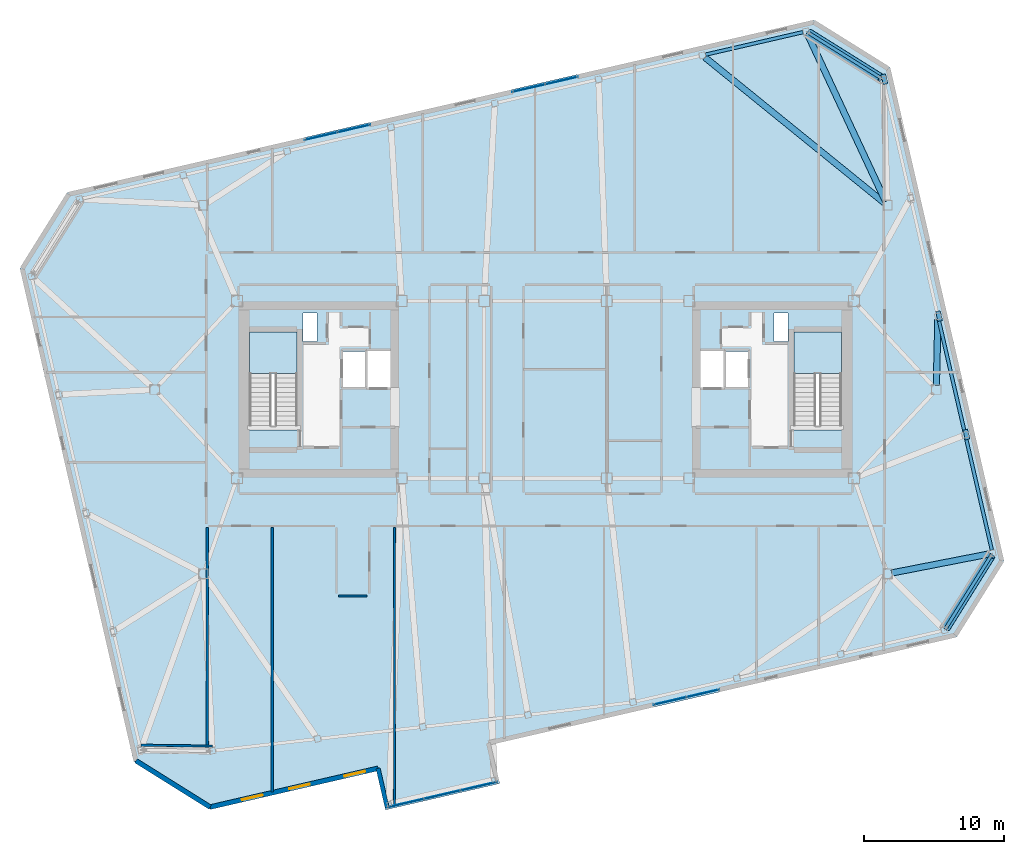
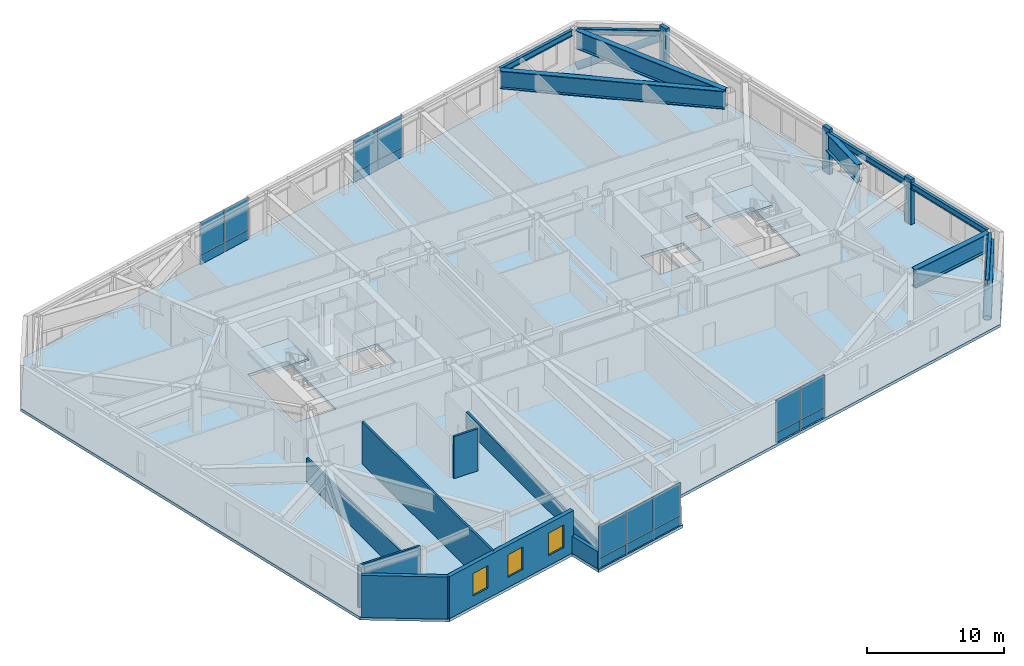
# One storey, part 15 of 23: 18 plates, 9 beams, 8 walls, 5 members, 3 slabs, 3 windows, 3 openings, 6 elements without a shape of their own.
"""IFC4 building model written with IfcOpenShell, lengths in metres."""

from ifc_helpers import new_model, si_unit, direction, frame, frame_2d, origin, origin_2d, place, context, subcontext, project, spatial, polyline, rectangle, hollow_circle, i_section, outline, extrude, material, layer, layer_set, material_profile, profile_set, type_object, element, fill, aggregate, save


model = new_model("IFC4")

# Units and contexts
model_context = context("Model", 3, precision=1e-05, world=origin(), true_north=direction((0.0, 1.0)))
body_context = subcontext(model_context, "Body", "Model", "MODEL_VIEW")
ifc_project = project(units=[si_unit("LENGTHUNIT", "METRE"), si_unit("AREAUNIT", "SQUARE_METRE"), si_unit("VOLUMEUNIT", "CUBIC_METRE"), si_unit("PLANEANGLEUNIT", "RADIAN"), si_unit("MASSUNIT", "GRAM", prefix="KILO")], contexts=[model_context])

# Site, building, storey
site_placement = place(None, origin())
site = spatial("IfcSite", under=ifc_project, at=site_placement, CompositionType="ELEMENT")
building_placement = place(site_placement, origin())
building = spatial("IfcBuilding", under=site, at=building_placement, Name="Tavrogorsk Clinical Tower", CompositionType="ELEMENT")
storey_placement = place(building_placement, frame((0.0, 0.0, 277.0)))
storey = spatial("IfcBuildingStorey", under=building, at=storey_placement, Name="L64", CompositionType="ELEMENT", Elevation=277.0)

# Members
ifc_material_1 = material(Name="Structural steel S440", Category="steel")
ifc_material_profile_1 = material_profile(ifc_material_1, hollow_circle(Radius=0.304931640625, WallThickness=0.02490234375, at=origin_2d()), Name="CHS-610x25")
ifc_profile_set_1 = profile_set([ifc_material_profile_1], Name="Structural steel S440")
member_type_1 = type_object("IfcMemberType", Name="ExoBrace_CHS610", PredefinedType="BRACE", material=ifc_profile_set_1)
for number, where, z_axis, x_axis, name in (
    (1, (28.70166015625, -17.063720703125, 0.393310546875), (0.485685891885, 0.777193135924, 0.40010004236), (-0.848027637525, 0.529952003481, 0.0), "L64 Corner Exoskeleton Brace S8-E1"),
    (2, (18.86279296875, 25.55322265625, 0.393310546875), (0.777221605895, -0.485643868835, 0.400095748531), (0.529905066536, 0.848056967697, 0.0), "L64 Corner Exoskeleton Brace E5-N1"),
):
    element("IfcMember", number, at=place(storey_placement, frame(where, z_axis=z_axis, x_axis=x_axis)), inside=storey, type_object=member_type_1, Name=name, PredefinedType="BRACE", context=body_context, shape_type="SweptSolid", body=[
        extrude(hollow_circle(Radius=0.304931640625, WallThickness=0.02490234375, at=origin_2d()), origin(), (0.0, 0.0, 1.0), 6.63232421875),
    ])
ifc_material_2 = material(Name="Precast concrete B45 with limestone cladding", Category="masonry")
ifc_material_profile_2 = material_profile(ifc_material_2, rectangle(XDim=0.320068359375, YDim=0.719970703125, at=origin_2d()), Name="LIMESTONE-FIN-320x720")
ifc_profile_set_2 = profile_set([ifc_material_profile_2], Name="Precast concrete B45 with limestone cladding")
member_type_2 = type_object("IfcMemberType", Name="LimestonePleatFin_320x720", PredefinedType="USERDEFINED", material=ifc_profile_set_2)
for number, where, z_axis, x_axis, name in (
    (3, (30.154541015625, -3.223388671875, 0.0), (0.0, 0.0, 1.0), (0.974370064785, 0.224951054344, 0.0), "L64 E Pleated Stone Fin 1"),
    (4, (28.1953125, 5.263427734375, 0.0), (0.0, 0.0, 1.0), (0.974370064785, 0.224951054344, 0.0), "L64 E Pleated Stone Fin 2"),
    (5, (24.276611328125, 22.237060546875, 0.0), (0.0, 0.0, 1.0), (0.974370064785, 0.224951054344, 0.0), "L64 E Pleated Stone Fin 4"),
):
    element("IfcMember", number, at=place(storey_placement, frame(where, z_axis=z_axis, x_axis=x_axis)), inside=storey, type_object=member_type_2, Name=name, ObjectType="FIN", PredefinedType="USERDEFINED", context=body_context, shape_type="SweptSolid", body=[
        extrude(rectangle(XDim=0.320068359375, YDim=0.719970703125, at=origin_2d()), origin(), (0.0, 0.0, 1.0), 4.0),
    ])

# Beams
ifc_material_3 = material(Name="Structural steel S390", Category="steel")
ifc_material_profile_3 = material_profile(ifc_material_3, i_section(OverallWidth=0.239990234375, OverallDepth=0.550048828125, WebThickness=0.013916015625, FlangeThickness=0.02197265625, at=origin_2d()), Name="B-550x240x14x22")
ifc_profile_set_3 = profile_set([ifc_material_profile_3], Name="Structural steel S390")
beam_type_1 = type_object("IfcBeamType", Name="SpandrelBeam_B550", PredefinedType="SPANDREL", material=ifc_profile_set_3)
beam_1_placement = place(storey_placement, frame((28.712158203125, -17.04736328125, 3.465087890625), z_axis=(0.529904457892, 0.848057348006, 0.0), x_axis=(-0.848057348006, 0.529904457892, 0.0)))
element("IfcBeam", 6, at=beam_1_placement, inside=storey, type_object=beam_type_1, Name="L64 Perimeter Spandrel S8-E1", PredefinedType="SPANDREL", context=body_context, shape_type="SweptSolid", body=[
    extrude(i_section(OverallWidth=0.239990234375, OverallDepth=0.550048828125, WebThickness=0.013916015625, FlangeThickness=0.02197265625, at=origin_2d()), origin(), (0.0, 0.0, 1.0), 6.039306640625),
])
for number, where, z_axis, x_axis, name in (
    (7, (31.9833984375, -11.5009765625, 3.465087890625), (-0.224950345141, 0.974370228517, 0.0), (-0.974370228517, -0.224950345141, 0.0), "L64 Perimeter Spandrel E1-E2"),
    (8, (30.024169921875, -3.01416015625, 3.465087890625), (-0.224950345141, 0.974370228517, 0.0), (-0.974370228517, -0.224950345141, 0.0), "L64 Perimeter Spandrel E2-E3"),
):
    element("IfcBeam", number, at=place(storey_placement, frame(where, z_axis=z_axis, x_axis=x_axis)), inside=storey, type_object=beam_type_1, Name=name, PredefinedType="SPANDREL", context=body_context, shape_type="SweptSolid", body=[
        extrude(i_section(OverallWidth=0.239990234375, OverallDepth=0.550048828125, WebThickness=0.013916015625, FlangeThickness=0.02197265625, at=origin_2d()), origin(), (0.0, 0.0, 1.0), 8.243896484375),
    ])
beam_2_placement = place(storey_placement, frame((24.0009765625, 22.342529296875, 3.465087890625), z_axis=(-0.848057348006, 0.529904457892, 0.0), x_axis=(-0.529904457892, -0.848057348006, 0.0)))
element("IfcBeam", 9, at=beam_2_placement, inside=storey, type_object=beam_type_1, Name="L64 Perimeter Spandrel E5-N1", PredefinedType="SPANDREL", context=body_context, shape_type="SweptSolid", body=[
    extrude(i_section(OverallWidth=0.239990234375, OverallDepth=0.550048828125, WebThickness=0.013916015625, FlangeThickness=0.02197265625, at=origin_2d()), origin(), (0.0, 0.0, 1.0), 6.039306640625),
])
beam_3_placement = place(storey_placement, frame((18.45458984375, 25.61376953125, 3.465087890625), z_axis=(-0.974375120167, -0.224929155956, 0.0), x_axis=(0.224929155956, -0.974375120167, 0.0)))
element("IfcBeam", 10, at=beam_3_placement, inside=storey, type_object=beam_type_1, Name="L64 Perimeter Spandrel N1-N2", PredefinedType="SPANDREL", context=body_context, shape_type="SweptSolid", body=[
    extrude(i_section(OverallWidth=0.239990234375, OverallDepth=0.550048828125, WebThickness=0.013916015625, FlangeThickness=0.02197265625, at=origin_2d()), origin(), (0.0, 0.0, 1.0), 7.16796875),
])
ifc_material_4 = material(Name="Structural steel S440", Category="steel")
ifc_material_profile_4 = material_profile(ifc_material_4, i_section(OverallWidth=0.449951171875, OverallDepth=1.60009765625, WebThickness=0.031982421875, FlangeThickness=0.050048828125, at=origin_2d()), Name="DK-1600x450x32x50")
ifc_profile_set_4 = profile_set([ifc_material_profile_4], Name="Structural steel S440")
beam_type_2 = type_object("IfcBeamType", Name="TransferGirder_DK1600", PredefinedType="USERDEFINED", material=ifc_profile_set_4)
beam_4_placement = place(storey_placement, frame((24.368896484375, 13.48095703125, 2.93994140625), z_axis=(-0.422928957087, 0.906162842571, 0.0), x_axis=(-0.906162842571, -0.422928957087, 0.0)))
element("IfcBeam", 11, at=beam_4_placement, inside=storey, type_object=beam_type_2, Name="L64 Radial Floor Beam N1", ObjectType="GIRDER", PredefinedType="USERDEFINED", context=body_context, shape_type="SweptSolid", body=[
    extrude(i_section(OverallWidth=0.449951171875, OverallDepth=1.60009765625, WebThickness=0.031982421875, FlangeThickness=0.050048828125, at=origin_2d()), origin(), (0.0, 0.0, 1.0), 13.214111328125),
])
beam_5_placement = place(storey_placement, frame((24.25927734375, 13.395263671875, 2.93994140625), z_axis=(-0.77675399059, 0.629804126774, 0.0), x_axis=(-0.629804126774, -0.77675399059, 0.0)))
element("IfcBeam", 12, at=beam_5_placement, inside=storey, type_object=beam_type_2, Name="L64 Radial Floor Beam N2", ObjectType="GIRDER", PredefinedType="USERDEFINED", context=body_context, shape_type="SweptSolid", body=[
    extrude(i_section(OverallWidth=0.449951171875, OverallDepth=1.60009765625, WebThickness=0.031982421875, FlangeThickness=0.050048828125, at=origin_2d()), origin(), (0.0, 0.0, 1.0), 16.524169921875),
])
beam_6_placement = place(storey_placement, frame((24.80419921875, -13.140625, 2.93994140625), z_axis=(0.981451198395, 0.191712141424, 0.0), x_axis=(-0.191712141424, 0.981451198395, 0.0)))
element("IfcBeam", 13, at=beam_6_placement, inside=storey, type_object=beam_type_2, Name="L64 Radial Floor Beam E1", ObjectType="GIRDER", PredefinedType="USERDEFINED", context=body_context, shape_type="SweptSolid", body=[
    extrude(i_section(OverallWidth=0.449951171875, OverallDepth=1.60009765625, WebThickness=0.031982421875, FlangeThickness=0.050048828125, at=origin_2d()), origin(), (0.0, 0.0, 1.0), 7.13525390625),
])
beam_7_placement = place(storey_placement, frame((28.0068359375, 0.309814453125, 2.93994140625), z_axis=(0.022370062613, 0.999749758839, 0.0), x_axis=(-0.999749758839, 0.022370062613, 0.0)))
element("IfcBeam", 14, at=beam_7_placement, inside=storey, type_object=beam_type_2, Name="L64 Radial Floor Beam E3", ObjectType="GIRDER", PredefinedType="USERDEFINED", context=body_context, shape_type="SweptSolid", body=[
    extrude(i_section(OverallWidth=0.449951171875, OverallDepth=1.60009765625, WebThickness=0.031982421875, FlangeThickness=0.050048828125, at=origin_2d()), origin(), (0.0, 0.0, 1.0), 4.703857421875),
])

# Curtain wall, plates
ifc_material_5 = material(Name="Anodised aluminium and triple IGU glazing", Category="aluminium")
ifc_layer_1 = layer(ifc_material_5, 0.179931640625)
ifc_layer_set_1 = layer_set([ifc_layer_1], Name="Anodised aluminium and triple IGU glazing")
curtain_wall_type_1 = type_object("IfcCurtainWallType", Name="CW3_SouthSlot", PredefinedType="NOTDEFINED", material=ifc_layer_set_1)
curtain_wall_1_placement = place(storey_placement, origin())
curtain_wall_1 = element("IfcCurtainWall", 15, at=curtain_wall_1_placement, inside=storey, type_object=curtain_wall_type_1, Name="L64 Curtain Wall CW-L64-S-SLOT-2", PredefinedType="NOTDEFINED")
ifc_material_6 = material(Name="Honed Podolsk limestone spandrel panel", Category="masonry")
ifc_layer_2 = layer(ifc_material_6, 0.080078125)
ifc_layer_set_2 = layer_set([ifc_layer_2], Name="Honed Podolsk limestone spandrel panel")
plate_type_1 = type_object("IfcPlateType", Name="CwSpandrelStonePanel_80", PredefinedType="CURTAIN_PANEL", material=ifc_layer_set_2)
plate_1_placement = place(storey_placement, frame((8.9296875, -22.306884765625, 0.001953125), z_axis=(0.0, 0.0, 1.0), x_axis=(0.974370057377, 0.224951086434, 0.0)))
plate_1 = element("IfcPlate", 16, at=plate_1_placement, type_object=plate_type_1, Name="CW-L64-S-SLOT-2 Stone Spandrel Panel 1", PredefinedType="CURTAIN_PANEL", context=body_context, shape_type="SweptSolid", body=[
    extrude(rectangle(XDim=2.39208984375, YDim=0.080078125, at=origin_2d()), origin(), (0.0, 0.0, 1.0), 0.8359375),
])
plate_2_placement = place(storey_placement, frame((11.28369140625, -21.763427734375, 0.001953125), z_axis=(0.0, 0.0, 1.0), x_axis=(0.974370057377, 0.224951086434, 0.0)))
plate_2 = element("IfcPlate", 17, at=plate_2_placement, type_object=plate_type_1, Name="CW-L64-S-SLOT-2 Stone Spandrel Panel 2", PredefinedType="CURTAIN_PANEL", context=body_context, shape_type="SweptSolid", body=[
    extrude(rectangle(XDim=2.39208984375, YDim=0.080078125, at=origin_2d()), origin(), (0.0, 0.0, 1.0), 0.8359375),
])

ifc_material_7 = material(Name="Anodised aluminium and triple IGU glazing", Category="aluminium")
ifc_layer_3 = layer(ifc_material_7, 0.179931640625)
ifc_layer_set_3 = layer_set([ifc_layer_3], Name="Anodised aluminium and triple IGU glazing")
curtain_wall_type_2 = type_object("IfcCurtainWallType", Name="CW2_NorthSlot", PredefinedType="NOTDEFINED", material=ifc_layer_set_3)
curtain_wall_2_placement = place(storey_placement, origin())
curtain_wall_2 = element("IfcCurtainWall", 18, at=curtain_wall_2_placement, inside=storey, type_object=curtain_wall_type_2, Name="L64 Curtain Wall CW-L64-N-SLOT-1", PredefinedType="NOTDEFINED")
plate_3_placement = place(storey_placement, frame((-13.729736328125, 18.70703125, 0.001953125), z_axis=(0.0, 0.0, 1.0), x_axis=(-0.974370057377, -0.224951086434, 0.0)))
plate_3 = element("IfcPlate", 19, at=plate_3_placement, type_object=plate_type_1, Name="CW-L64-N-SLOT-1 Stone Spandrel Panel 1", PredefinedType="CURTAIN_PANEL", context=body_context, shape_type="SweptSolid", body=[
    extrude(rectangle(XDim=2.39208984375, YDim=0.080078125, at=origin_2d()), origin(), (0.0, 0.0, 1.0), 0.8359375),
])
plate_4_placement = place(storey_placement, frame((-16.083740234375, 18.16357421875, 0.001953125), z_axis=(0.0, 0.0, 1.0), x_axis=(-0.974370057377, -0.224951086434, 0.0)))
plate_4 = element("IfcPlate", 20, at=plate_4_placement, type_object=plate_type_1, Name="CW-L64-N-SLOT-1 Stone Spandrel Panel 2", PredefinedType="CURTAIN_PANEL", context=body_context, shape_type="SweptSolid", body=[
    extrude(rectangle(XDim=2.39208984375, YDim=0.080078125, at=origin_2d()), origin(), (0.0, 0.0, 1.0), 0.8359375),
])

curtain_wall_3_placement = place(storey_placement, origin())
curtain_wall_3 = element("IfcCurtainWall", 21, at=curtain_wall_3_placement, inside=storey, type_object=curtain_wall_type_2, Name="L64 Curtain Wall CW-L64-N-SLOT-2", PredefinedType="NOTDEFINED")
plate_5_placement = place(storey_placement, frame((1.1474609375, 22.1416015625, 0.001953125), z_axis=(0.0, 0.0, 1.0), x_axis=(-0.974370092441, -0.224950934554, 0.0)))
plate_5 = element("IfcPlate", 22, at=plate_5_placement, type_object=plate_type_1, Name="CW-L64-N-SLOT-2 Stone Spandrel Panel 1", PredefinedType="CURTAIN_PANEL", context=body_context, shape_type="SweptSolid", body=[
    extrude(rectangle(XDim=2.39208984375, YDim=0.080078125, at=origin_2d()), origin(), (0.0, 0.0, 1.0), 0.8359375),
])
plate_6_placement = place(storey_placement, frame((-1.20654296875, 21.59814453125, 0.001953125), z_axis=(0.0, 0.0, 1.0), x_axis=(-0.974370092441, -0.224950934554, 0.0)))
plate_6 = element("IfcPlate", 23, at=plate_6_placement, type_object=plate_type_1, Name="CW-L64-N-SLOT-2 Stone Spandrel Panel 2", PredefinedType="CURTAIN_PANEL", context=body_context, shape_type="SweptSolid", body=[
    extrude(rectangle(XDim=2.39208984375, YDim=0.080078125, at=origin_2d()), origin(), (0.0, 0.0, 1.0), 0.8359375),
])

ifc_material_8 = material(Name="Anodised aluminium and triple IGU glazing", Category="aluminium")
ifc_layer_4 = layer(ifc_material_8, 0.179931640625)
ifc_layer_set_4 = layer_set([ifc_layer_4], Name="Anodised aluminium and triple IGU glazing")
curtain_wall_type_3 = type_object("IfcCurtainWallType", Name="CW4_DayroomBox", PredefinedType="NOTDEFINED", material=ifc_layer_set_4)
curtain_wall_4_placement = place(storey_placement, origin())
curtain_wall_4 = element("IfcCurtainWall", 24, at=curtain_wall_4_placement, inside=storey, type_object=curtain_wall_type_3, Name="L64 Curtain Wall CW-DRB-09-L64", PredefinedType="NOTDEFINED")
plate_7_placement = place(storey_placement, frame((-10.041015625, -29.632080078125, 0.001953125), z_axis=(0.0, 0.0, 1.0), x_axis=(0.974370055311, 0.224951095379, 0.0)))
plate_7 = element("IfcPlate", 25, at=plate_7_placement, type_object=plate_type_1, Name="CW-DRB-09-L64 Stone Spandrel Panel 1", PredefinedType="CURTAIN_PANEL", context=body_context, shape_type="SweptSolid", body=[
    extrude(rectangle(XDim=2.68798828125, YDim=0.080078125, at=origin_2d()), origin(), (0.0, 0.0, 1.0), 0.8359375),
])
plate_8_placement = place(storey_placement, frame((-7.404296875, -29.0234375, 0.001953125), z_axis=(0.0, 0.0, 1.0), x_axis=(0.974370055311, 0.224951095379, 0.0)))
plate_8 = element("IfcPlate", 26, at=plate_8_placement, type_object=plate_type_1, Name="CW-DRB-09-L64 Stone Spandrel Panel 2", PredefinedType="CURTAIN_PANEL", context=body_context, shape_type="SweptSolid", body=[
    extrude(rectangle(XDim=2.676025390625, YDim=0.080078125, at=origin_2d()), origin(), (0.0, 0.0, 1.0), 0.8359375),
])
plate_9_placement = place(storey_placement, frame((-4.767578125, -28.414794921875, 0.001953125), z_axis=(0.0, 0.0, 1.0), x_axis=(0.974370055311, 0.224951095379, 0.0)))
plate_9 = element("IfcPlate", 27, at=plate_9_placement, type_object=plate_type_1, Name="CW-DRB-09-L64 Stone Spandrel Panel 3", PredefinedType="CURTAIN_PANEL", context=body_context, shape_type="SweptSolid", body=[
    extrude(rectangle(XDim=2.68798828125, YDim=0.080078125, at=origin_2d()), origin(), (0.0, 0.0, 1.0), 0.8359375),
])

# Plate
ifc_material_9 = material(Name="Triple low-E argon insulated glass", Category="glass")
ifc_layer_5 = layer(ifc_material_9, 0.048095703125)
ifc_layer_set_5 = layer_set([ifc_layer_5], Name="Triple low-E argon insulated glass")
plate_type_2 = type_object("IfcPlateType", Name="CwVisionGlassPanel_48", PredefinedType="CURTAIN_PANEL", material=ifc_layer_set_5)
plate_10_placement = place(storey_placement, frame((8.9296875, -22.306884765625, 0.862060546875), z_axis=(0.0, 0.0, 1.0), x_axis=(0.974370057377, 0.224951086434, 0.0)))
plate_10 = element("IfcPlate", 28, at=plate_10_placement, type_object=plate_type_2, Name="CW-L64-S-SLOT-2 Glazing Panel 1", PredefinedType="CURTAIN_PANEL", context=body_context, shape_type="SweptSolid", body=[
    extrude(rectangle(XDim=2.39208984375, YDim=0.048095703125, at=origin_2d()), origin(), (0.0, 0.0, 1.0), 2.8759765625),
])

plate_11_placement = place(storey_placement, frame((11.28369140625, -21.763427734375, 0.862060546875), z_axis=(0.0, 0.0, 1.0), x_axis=(0.974370057377, 0.224951086434, 0.0)))
plate_11 = element("IfcPlate", 29, at=plate_11_placement, type_object=plate_type_2, Name="CW-L64-S-SLOT-2 Glazing Panel 2", PredefinedType="CURTAIN_PANEL", context=body_context, shape_type="SweptSolid", body=[
    extrude(rectangle(XDim=2.39208984375, YDim=0.048095703125, at=origin_2d()), origin(), (0.0, 0.0, 1.0), 2.8759765625),
])

aggregate(curtain_wall_1, [plate_1, plate_10, plate_2, plate_11])

plate_12_placement = place(storey_placement, frame((-13.729736328125, 18.70703125, 0.862060546875), z_axis=(0.0, 0.0, 1.0), x_axis=(-0.974370057377, -0.224951086434, 0.0)))
plate_12 = element("IfcPlate", 30, at=plate_12_placement, type_object=plate_type_2, Name="CW-L64-N-SLOT-1 Glazing Panel 1", PredefinedType="CURTAIN_PANEL", context=body_context, shape_type="SweptSolid", body=[
    extrude(rectangle(XDim=2.39208984375, YDim=0.048095703125, at=origin_2d()), origin(), (0.0, 0.0, 1.0), 2.8759765625),
])

plate_13_placement = place(storey_placement, frame((-16.083740234375, 18.16357421875, 0.862060546875), z_axis=(0.0, 0.0, 1.0), x_axis=(-0.974370057377, -0.224951086434, 0.0)))
plate_13 = element("IfcPlate", 31, at=plate_13_placement, type_object=plate_type_2, Name="CW-L64-N-SLOT-1 Glazing Panel 2", PredefinedType="CURTAIN_PANEL", context=body_context, shape_type="SweptSolid", body=[
    extrude(rectangle(XDim=2.39208984375, YDim=0.048095703125, at=origin_2d()), origin(), (0.0, 0.0, 1.0), 2.8759765625),
])

aggregate(curtain_wall_2, [plate_3, plate_12, plate_4, plate_13])

plate_14_placement = place(storey_placement, frame((1.1474609375, 22.1416015625, 0.862060546875), z_axis=(0.0, 0.0, 1.0), x_axis=(-0.974370092441, -0.224950934554, 0.0)))
plate_14 = element("IfcPlate", 32, at=plate_14_placement, type_object=plate_type_2, Name="CW-L64-N-SLOT-2 Glazing Panel 1", PredefinedType="CURTAIN_PANEL", context=body_context, shape_type="SweptSolid", body=[
    extrude(rectangle(XDim=2.39208984375, YDim=0.048095703125, at=origin_2d()), origin(), (0.0, 0.0, 1.0), 2.8759765625),
])

plate_15_placement = place(storey_placement, frame((-1.20654296875, 21.59814453125, 0.862060546875), z_axis=(0.0, 0.0, 1.0), x_axis=(-0.974370092441, -0.224950934554, 0.0)))
plate_15 = element("IfcPlate", 33, at=plate_15_placement, type_object=plate_type_2, Name="CW-L64-N-SLOT-2 Glazing Panel 2", PredefinedType="CURTAIN_PANEL", context=body_context, shape_type="SweptSolid", body=[
    extrude(rectangle(XDim=2.39208984375, YDim=0.048095703125, at=origin_2d()), origin(), (0.0, 0.0, 1.0), 2.8759765625),
])

aggregate(curtain_wall_3, [plate_5, plate_14, plate_6, plate_15])

plate_16_placement = place(storey_placement, frame((-10.041015625, -29.632080078125, 0.862060546875), z_axis=(0.0, 0.0, 1.0), x_axis=(0.974370055311, 0.224951095379, 0.0)))
plate_16 = element("IfcPlate", 34, at=plate_16_placement, type_object=plate_type_2, Name="CW-DRB-09-L64 Glazing Panel 1", PredefinedType="CURTAIN_PANEL", context=body_context, shape_type="SweptSolid", body=[
    extrude(rectangle(XDim=2.68798828125, YDim=0.048095703125, at=origin_2d()), origin(), (0.0, 0.0, 1.0), 2.8759765625),
])

plate_17_placement = place(storey_placement, frame((-7.404296875, -29.0234375, 0.862060546875), z_axis=(0.0, 0.0, 1.0), x_axis=(0.974370055311, 0.224951095379, 0.0)))
plate_17 = element("IfcPlate", 35, at=plate_17_placement, type_object=plate_type_2, Name="CW-DRB-09-L64 Glazing Panel 2", PredefinedType="CURTAIN_PANEL", context=body_context, shape_type="SweptSolid", body=[
    extrude(rectangle(XDim=2.676025390625, YDim=0.048095703125, at=origin_2d()), origin(), (0.0, 0.0, 1.0), 2.8759765625),
])

plate_18_placement = place(storey_placement, frame((-4.767578125, -28.414794921875, 0.862060546875), z_axis=(0.0, 0.0, 1.0), x_axis=(0.974370055311, 0.224951095379, 0.0)))
plate_18 = element("IfcPlate", 36, at=plate_18_placement, type_object=plate_type_2, Name="CW-DRB-09-L64 Glazing Panel 3", PredefinedType="CURTAIN_PANEL", context=body_context, shape_type="SweptSolid", body=[
    extrude(rectangle(XDim=2.68798828125, YDim=0.048095703125, at=origin_2d()), origin(), (0.0, 0.0, 1.0), 2.8759765625),
])

aggregate(curtain_wall_4, [plate_7, plate_16, plate_8, plate_17, plate_9, plate_18])

# Stair, slab
ifc_material_10 = material(Name="Concrete B60", Category="concrete")
stair_type = type_object("IfcStairType", Name="CoreStairAssembly", PredefinedType="HALF_TURN_STAIR", material=ifc_material_10)
stair_1_placement = place(storey_placement, origin())
stair_1 = element("IfcStair", 37, at=stair_1_placement, inside=storey, type_object=stair_type, Name="L64 ST-W", PredefinedType="HALF_TURN_STAIR")
ifc_material_11 = material(Name="Concrete B60", Category="concrete")
ifc_layer_6 = layer(ifc_material_11, 0.199951171875)
ifc_layer_set_6 = layer_set([ifc_layer_6], Name="Concrete B60")
slab_type_1 = type_object("IfcSlabType", Name="StairLanding_200", PredefinedType="LANDING", material=ifc_layer_set_6)
slab_1_placement = place(storey_placement, frame((0.0, 0.0, 1.800048828125)))
slab_1 = element("IfcSlab", 38, at=slab_1_placement, type_object=slab_type_1, Name="ST-W landing 1", PredefinedType="LANDING", context=body_context, shape_type="SweptSolid", body=[
    extrude(outline(polyline([(-17.800048828125, 1.1650390625), (-17.800048828125, 4.125), (-21.199951171875, 4.125), (-21.199951171875, 1.1650390625), (-17.800048828125, 1.1650390625)])), origin(), (0.0, 0.0, 1.0), 0.199951171875),
])
aggregate(stair_1, [slab_1])

stair_2_placement = place(storey_placement, origin())
stair_2 = element("IfcStair", 39, at=stair_2_placement, inside=storey, type_object=stair_type, Name="L64 ST-E", PredefinedType="HALF_TURN_STAIR")
slab_2_placement = place(storey_placement, frame((0.0, 0.0, 1.800048828125)))
slab_2 = element("IfcSlab", 40, at=slab_2_placement, type_object=slab_type_1, Name="ST-E landing 1", PredefinedType="LANDING", context=body_context, shape_type="SweptSolid", body=[
    extrude(outline(polyline([(21.199951171875, 1.1650390625), (21.199951171875, 4.125), (17.800048828125, 4.125), (17.800048828125, 1.1650390625), (21.199951171875, 1.1650390625)])), origin(), (0.0, 0.0, 1.0), 0.199951171875),
])
aggregate(stair_2, [slab_2])

# Slab
ifc_material_12 = material(Name="Concrete B60", Category="concrete")
ifc_layer_7 = layer(ifc_material_12, 0.260009765625)
ifc_layer_set_7 = layer_set([ifc_layer_7], Name="Concrete B60")
slab_type_2 = type_object("IfcSlabType", Name="WardSlab_260", PredefinedType="FLOOR", material=ifc_layer_set_7)
slab_3_placement = place(storey_placement, frame((0.0, 0.0, -0.260009765625)))
element("IfcSlab", 41, at=slab_3_placement, inside=storey, type_object=slab_type_2, Name="L64 Structural Slab", PredefinedType="FLOOR", context=body_context, shape_type="SweptSolid", body=[
    extrude(outline(polyline([(-23.991455078125, -30.081787109375), (-29.50830078125, -26.634521484375), (-37.651611328125, 8.6376953125), (-34.2041015625, 14.154541015625), (19.19140625, 26.48193359375), (24.708251953125, 23.034423828125), (32.8515625, -12.23779296875), (29.404052734375, -17.75439453125), (-3.919189453125, -25.447998046875), (-3.2783203125, -28.224853515625), (-11.462890625, -30.114501953125), (-12.10400390625, -27.33740234375), (-23.991455078125, -30.081787109375)]), holes=[polyline([(-17.800048828125, -2.8798828125), (-17.800048828125, 4.125), (-21.199951171875, 4.125), (-21.199951171875, -2.8798828125), (-17.800048828125, -2.8798828125)]), polyline([(21.199951171875, -2.8798828125), (21.199951171875, 4.125), (17.800048828125, 4.125), (17.800048828125, -2.8798828125), (21.199951171875, -2.8798828125)]), polyline([(-14.6201171875, 0.169921875), (-12.860107421875, 0.169921875), (-12.860107421875, 2.72998046875), (-14.6201171875, 2.72998046875), (-14.6201171875, 0.169921875)]), polyline([(-12.840087890625, 0.1201171875), (-11.080078125, 0.1201171875), (-11.080078125, 2.780029296875), (-12.840087890625, 2.780029296875), (-12.840087890625, 0.1201171875)]), polyline([(12.860107421875, 0.169921875), (14.6201171875, 0.169921875), (14.6201171875, 2.72998046875), (12.860107421875, 2.72998046875), (12.860107421875, 0.169921875)]), polyline([(11.080078125, 0.1201171875), (12.840087890625, 0.1201171875), (12.840087890625, 2.780029296875), (11.080078125, 2.780029296875), (11.080078125, 0.1201171875)]), polyline([(-17.3798828125, 3.449951171875), (-16.3798828125, 3.449951171875), (-16.3798828125, 5.5), (-17.3798828125, 5.5), (-17.3798828125, 3.449951171875)]), polyline([(16.3798828125, 3.449951171875), (17.3798828125, 3.449951171875), (17.3798828125, 5.5), (16.3798828125, 5.5), (16.3798828125, 3.449951171875)])]), origin(), (0.0, 0.0, 1.0), 0.260009765625),
])

# Walls
ifc_material_13 = material(Name="Lightweight concrete blockwork B15", Category="masonry")
ifc_layer_8 = layer(ifc_material_13, 0.159912109375)
ifc_layer_set_8 = layer_set([ifc_layer_8], Name="Lightweight concrete blockwork B15")
wall_type_1 = type_object("IfcWallType", Name="PartitionWall_160", PredefinedType="PARTITIONING", material=ifc_layer_set_8)
wall_1_placement = place(storey_placement, frame((-28.994140625, -25.47900390625, 0.0), z_axis=(0.0, 0.0, 1.0), x_axis=(0.999915052546, -0.01303409726, 0.0)))
element("IfcWall", 42, at=wall_1_placement, inside=storey, type_object=wall_type_1, Name="L64 Corner Exoskeleton Brace Furring Wall 4", PredefinedType="PARTITIONING", context=body_context, shape_type="SweptSolid", body=[
    extrude(rectangle(XDim=5.13232421875, YDim=0.159912109375, at=frame_2d((2.566162109375, 0.0))), origin(), (0.0, 0.0, 1.0), 3.739990234375),
])
wall_2_placement = place(storey_placement, frame((-12.784912109375, -14.780029296875, 0.0), z_axis=(0.0, 0.0, 1.0), x_axis=(-1.0, 0.0, 0.0)))
element("IfcWall", 43, at=wall_2_placement, inside=storey, type_object=wall_type_1, Name="L64 Corridor Partition 06", PredefinedType="PARTITIONING", context=body_context, shape_type="SweptSolid", body=[
    extrude(rectangle(XDim=2.030029296875, YDim=0.159912109375, at=frame_2d((1.01513671875, 0.0))), origin(), (0.0, 0.0, 1.0), 3.739990234375),
])
wall_3_placement = place(storey_placement, frame((-24.22998046875, -25.535888671875, 0.0), z_axis=(0.0, 0.0, 1.0), x_axis=(0.0, 1.0, 0.0)))
element("IfcWall", 44, at=wall_3_placement, inside=storey, type_object=wall_type_1, Name="L64 SW Wing Closure Partition", PredefinedType="PARTITIONING", context=body_context, shape_type="SweptSolid", body=[
    extrude(rectangle(XDim=15.6708984375, YDim=0.159912109375, at=frame_2d((7.83544921875, 0.0))), origin(), (0.0, 0.0, 1.0), 2.135009765625),
])
wall_4_placement = place(storey_placement, frame((-19.580078125, -28.817138671875, 0.0), z_axis=(0.0, 0.0, 1.0), x_axis=(0.0, 1.0, 0.0)))
element("IfcWall", 45, at=wall_4_placement, inside=storey, type_object=wall_type_1, Name="L64 South Room Partition 1", PredefinedType="PARTITIONING", context=body_context, shape_type="SweptSolid", body=[
    extrude(rectangle(XDim=18.9521484375, YDim=0.159912109375, at=frame_2d((9.47607421875, 0.0))), origin(), (0.0, 0.0, 1.0), 3.739990234375),
])
wall_5_placement = place(storey_placement, frame((-10.821044921875, -29.719970703125, 0.0), z_axis=(0.0, 0.0, 1.0), x_axis=(0.0, 1.0, 0.0)))
element("IfcWall", 46, at=wall_5_placement, inside=storey, type_object=wall_type_1, Name="L64 South Sub-Partition 2", PredefinedType="PARTITIONING", context=body_context, shape_type="SweptSolid", body=[
    extrude(rectangle(XDim=19.85498046875, YDim=0.159912109375, at=frame_2d((9.927490234375, 0.0))), origin(), (0.0, 0.0, 1.0), 1.534912109375),
])

# Wall, openings, windows
ifc_material_14 = material(Name="Precast concrete B45 with limestone cladding", Category="masonry")
ifc_layer_9 = layer(ifc_material_14, 0.340087890625)
ifc_layer_set_9 = layer_set([ifc_layer_9], Name="Precast concrete B45 with limestone cladding")
wall_type_2 = type_object("IfcWallType", Name="PrecastLimestoneWall_340", PredefinedType="STANDARD", material=ifc_layer_set_9)
wall_6_placement = place(storey_placement, frame((-24.029541015625, -29.916259765625, 0.0), z_axis=(0.0, 0.0, 1.0), x_axis=(0.974371201193, 0.224946131964, 0.0)))
wall_6 = element("IfcWall", 47, at=wall_6_placement, inside=storey, type_object=wall_type_2, Name="L64 S Limestone Facade Wall 1", PredefinedType="STANDARD", context=body_context, shape_type="SweptSolid", body=[
    extrude(rectangle(XDim=12.349853515625, YDim=0.340087890625, at=frame_2d((6.1748046875, 0.0))), origin(), (0.0, 0.0, 1.0), 3.739990234375),
])
opening_1_placement = place(wall_6_placement, frame((2.35009765625, 0.0, 0.89990234375)))
opening_1 = element("IfcOpeningElement", 48, at=opening_1_placement, cuts=wall_6, Name="Opening WN-05", PredefinedType="OPENING", context=body_context, shape_type="SweptSolid", body=[
    extrude(rectangle(XDim=1.5, YDim=2.0, at=frame_2d((0.75, 1.0))), frame((0.0, 0.179931640625, 0.0), z_axis=(0.0, -1.0, 0.0), x_axis=(1.0, 0.0, 0.0)), (0.0, 0.0, 1.0), 0.360107421875),
])
opening_2_placement = place(wall_6_placement, frame((5.81689453125, 0.0, 0.89990234375)))
opening_2 = element("IfcOpeningElement", 49, at=opening_2_placement, cuts=wall_6, Name="Opening WN-05", PredefinedType="OPENING", context=body_context, shape_type="SweptSolid", body=[
    extrude(rectangle(XDim=1.5, YDim=2.0, at=frame_2d((0.75, 1.0))), frame((0.0, 0.179931640625, 0.0), z_axis=(0.0, -1.0, 0.0), x_axis=(1.0, 0.0, 0.0)), (0.0, 0.0, 1.0), 0.360107421875),
])
opening_3_placement = place(wall_6_placement, frame((9.886474609375, 0.0, 0.89990234375)))
opening_3 = element("IfcOpeningElement", 50, at=opening_3_placement, cuts=wall_6, Name="Opening WN-05", PredefinedType="OPENING", context=body_context, shape_type="SweptSolid", body=[
    extrude(rectangle(XDim=1.5, YDim=2.0, at=frame_2d((0.75, 1.0))), frame((0.0, 0.179931640625, 0.0), z_axis=(0.0, -1.0, 0.0), x_axis=(1.0, 0.0, 0.0)), (0.0, 0.0, 1.0), 0.360107421875),
])
ifc_material_15 = material(Name="Thermally broken aluminium frame and triple IGU", Category="aluminium")
window_type = type_object("IfcWindowType", Name="ConsultWin_1500x2000", PartitioningType="SINGLE_PANEL", PredefinedType="WINDOW", material=ifc_material_15)
window_1_placement = place(opening_1_placement, origin())
window_1 = element("IfcWindow", 51, at=window_1_placement, inside=storey, type_object=window_type, Name="L64 S Chicago Window 01", OverallHeight=2.0, OverallWidth=1.5, PartitioningType="SINGLE_PANEL", PredefinedType="WINDOW", context=body_context, shape_type="SweptSolid", body=[
    extrude(rectangle(XDim=1.5, YDim=2.0, at=frame_2d((0.75, 1.0))), frame((0.0, 0.030029296875, 0.0), z_axis=(0.0, -1.0, 0.0), x_axis=(1.0, 0.0, 0.0)), (0.0, 0.0, 1.0), 0.06005859375),
])
fill(opening_1, window_1)
window_2_placement = place(opening_2_placement, origin())
window_2 = element("IfcWindow", 52, at=window_2_placement, inside=storey, type_object=window_type, Name="L64 S Chicago Window 02", OverallHeight=2.0, OverallWidth=1.5, PartitioningType="SINGLE_PANEL", PredefinedType="WINDOW", context=body_context, shape_type="SweptSolid", body=[
    extrude(rectangle(XDim=1.5, YDim=2.0, at=frame_2d((0.75, 1.0))), frame((0.0, 0.030029296875, 0.0), z_axis=(0.0, -1.0, 0.0), x_axis=(1.0, 0.0, 0.0)), (0.0, 0.0, 1.0), 0.06005859375),
])
fill(opening_2, window_2)
window_3_placement = place(opening_3_placement, origin())
window_3 = element("IfcWindow", 53, at=window_3_placement, inside=storey, type_object=window_type, Name="L64 S Chicago Window 03", OverallHeight=2.0, OverallWidth=1.5, PartitioningType="SINGLE_PANEL", PredefinedType="WINDOW", context=body_context, shape_type="SweptSolid", body=[
    extrude(rectangle(XDim=1.5, YDim=2.0, at=frame_2d((0.75, 1.0))), frame((0.0, 0.030029296875, 0.0), z_axis=(0.0, -1.0, 0.0), x_axis=(1.0, 0.0, 0.0)), (0.0, 0.0, 1.0), 0.06005859375),
])
fill(opening_3, window_3)

# Walls
wall_7_placement = place(storey_placement, frame((-29.342529296875, -26.59619140625, 0.0), z_axis=(0.0, 0.0, 1.0), x_axis=(0.848037708252, -0.529935887993, 0.0)))
element("IfcWall", 54, at=wall_7_placement, inside=storey, type_object=wall_type_2, Name="L64 Chamfered Corner Wall 4", PredefinedType="STANDARD", context=body_context, shape_type="SweptSolid", body=[
    extrude(rectangle(XDim=6.26513671875, YDim=0.340087890625, at=frame_2d((3.132568359375, 0.0))), origin(), (0.0, 0.0, 1.0), 3.739990234375),
])
ifc_material_16 = material(Name="Precast concrete B45 with mineral wool", Category="concrete")
ifc_layer_10 = layer(ifc_material_16, 0.300048828125)
ifc_layer_set_10 = layer_set([ifc_layer_10], Name="Precast concrete B45 with mineral wool")
wall_type_3 = type_object("IfcWallType", Name="SpandrelBackWall_300", PredefinedType="STANDARD", material=ifc_layer_set_10)
wall_8_placement = place(storey_placement, frame((-11.99609375, -27.13818359375, 0.0), z_axis=(0.0, 0.0, 1.0), x_axis=(0.224921635065, -0.974376856293, 0.0)))
element("IfcWall", 55, at=wall_8_placement, inside=storey, type_object=wall_type_3, Name="L64 Day-Room Cheek Wall DRB-09-L", PredefinedType="STANDARD", context=body_context, shape_type="SweptSolid", body=[
    extrude(rectangle(XDim=2.869873046875, YDim=0.300048828125, at=frame_2d((1.43505859375, 0.0))), origin(), (0.0, 0.0, 1.0), 1.534912109375),
])

save(model, "model.ifc")
